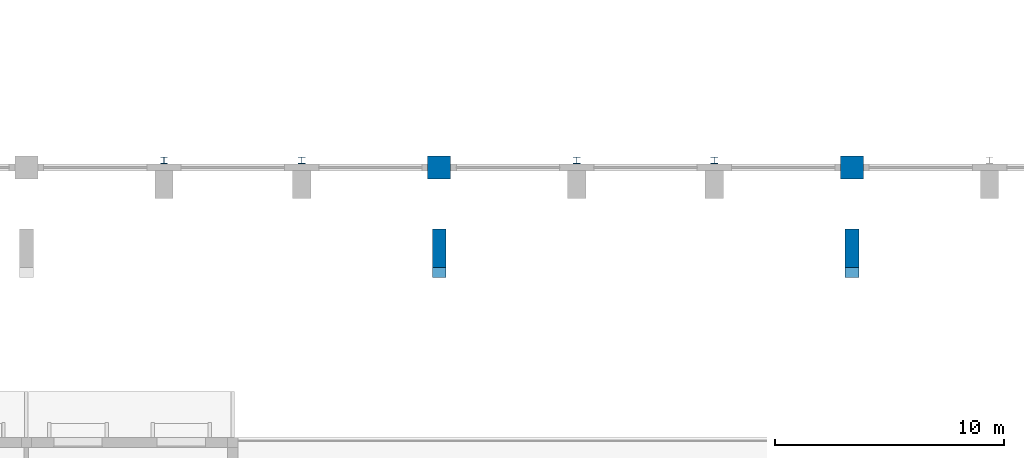
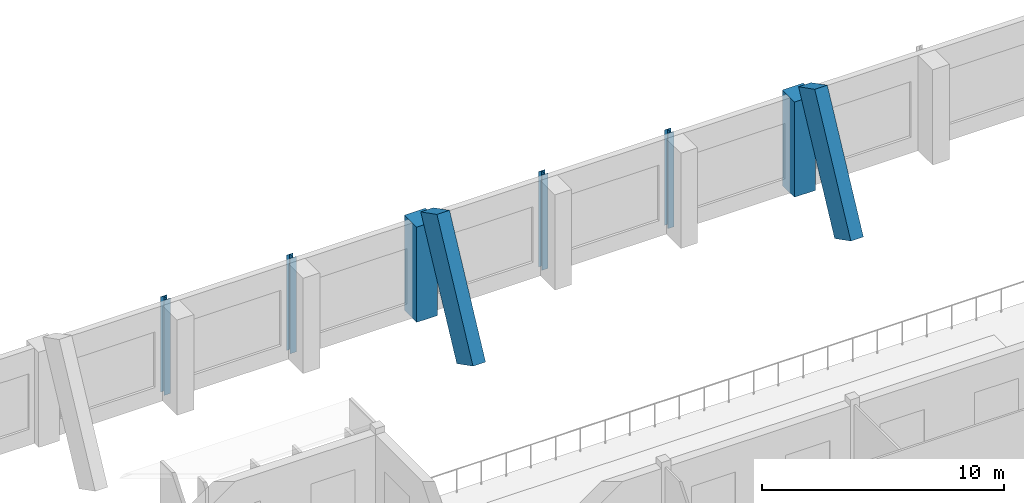
# One storey, part 10 of 182: 8 columns.
"""IFC4 building model written with IfcOpenShell, lengths in metres."""

import ifcopenshell
import ifcopenshell.guid

model = None  # the IFC model being written
_history = None  # IfcOwnerHistory: only IFC2X3 demands one
_inside = {}  # id of a spatial element -> (the spatial element, [elements in it])
_under = {}  # id of a project, library or spatial element -> (it, [spatial elements below it])
_declared = {}  # id of a project -> (the project, [libraries it declares])
_typed = {}  # id of a type object -> (the type object, [elements of that type])
_made_of = {}  # id of a material, layer set ... -> (it, [elements and type objects made of it])


def new_model(schema):
    """Start an empty IFC model of exactly this schema.

    Asked for "IFC4X3", IfcOpenShell would pick the latest addendum, in which some entities
    have other attributes; the version numbers below select the first issue.
    IFC2X3 requires an IfcOwnerHistory on every rooted entity: one is made here for all.
    """
    global model, _history
    if schema == "IFC4X3":
        model = ifcopenshell.file(schema_version=(4, 3, 0, 0))
    else:
        model = ifcopenshell.file(schema=schema)
    _inside.clear()
    _under.clear()
    _declared.clear()
    _typed.clear()
    _made_of.clear()
    _history = None
    if model.schema == "IFC2X3":
        org = make("IfcOrganization", Name="unknown")
        user = make(
            "IfcPersonAndOrganization",
            ThePerson=make("IfcPerson", FamilyName="unknown"),
            TheOrganization=org,
        )
        app = make(
            "IfcApplication",
            ApplicationDeveloper=org,
            Version="unknown",
            ApplicationFullName="unknown",
            ApplicationIdentifier="unknown",
        )
        _history = make(
            "IfcOwnerHistory",
            OwningUser=user,
            OwningApplication=app,
            ChangeAction="ADDED",
            CreationDate=0,
        )
    return model


def make(cls, **values):
    """One entity of the class cls with the attributes given. An attribute that is None is left unset."""
    return model.create_entity(
        cls, **{name: value for name, value in values.items() if value is not None}
    )


def rooted(cls, **values):
    """An entity with a GlobalId (a new one), such as an element, a storey or a relation."""
    return make(cls, GlobalId=ifcopenshell.guid.new(), OwnerHistory=_history, **values)


def si_unit(unit_type, name, prefix=None):
    """IfcSIUnit, for example si_unit("LENGTHUNIT", "METRE", prefix="MILLI")."""
    return make("IfcSIUnit", UnitType=unit_type, Prefix=prefix, Name=name)


def assignment(units):
    """IfcUnitAssignment: the units of a project."""
    return None if units is None else make("IfcUnitAssignment", Units=units)


def point(xyz):
    """IfcCartesianPoint."""
    return None if xyz is None else make("IfcCartesianPoint", Coordinates=xyz)


def direction(xyz):
    """IfcDirection."""
    return None if xyz is None else make("IfcDirection", DirectionRatios=xyz)


def frame(location, z_axis=None, x_axis=None):
    """IfcAxis2Placement3D, a coordinate frame: its origin and axes. An axis left out is left unset."""
    return make(
        "IfcAxis2Placement3D",
        Location=point(location),
        Axis=direction(z_axis),
        RefDirection=direction(x_axis),
    )


def frame_2d(location, x_axis=None):
    """IfcAxis2Placement2D, a coordinate frame in the plane: its origin and x axis."""
    return make(
        "IfcAxis2Placement2D", Location=point(location), RefDirection=direction(x_axis)
    )


def origin():
    """The frame at (0, 0, 0) with its axes left unset."""
    return frame((0.0, 0.0, 0.0))


def origin_2d():
    """The frame at (0, 0) in the plane with its x axis left unset."""
    return frame_2d((0.0, 0.0))


def place(relative_to, where):
    """IfcLocalPlacement: puts the frame where relative to a parent placement (None: the world)."""
    return make(
        "IfcLocalPlacement", PlacementRelTo=relative_to, RelativePlacement=where
    )


def context(
    kind, dimensions, precision=None, world=None, true_north=None, identifier=None
):
    """IfcGeometricRepresentationContext, for example the 3D "Model" context."""
    return make(
        "IfcGeometricRepresentationContext",
        ContextIdentifier=identifier,
        ContextType=kind,
        CoordinateSpaceDimension=dimensions,
        Precision=precision,
        WorldCoordinateSystem=world,
        TrueNorth=true_north,
    )


def subcontext(parent, identifier, kind, view, scale=None):
    """IfcGeometricRepresentationSubContext, for example "Body" below "Model"."""
    return make(
        "IfcGeometricRepresentationSubContext",
        ContextIdentifier=identifier,
        ContextType=kind,
        ParentContext=parent,
        TargetScale=scale,
        TargetView=view,
    )


def project(units=None, contexts=None):
    """IfcProject with its units and contexts."""
    return rooted(
        "IfcProject",
        Name="project",
        RepresentationContexts=contexts,
        UnitsInContext=assignment(units),
    )


def spatial(cls, under=None, at=None, **own):
    """A site, building, storey or space (cls), placed at a placement, below another one or the project."""
    s = rooted(cls, ObjectPlacement=at, **own)
    if under is not None:
        _under.setdefault(under.id(), (under, []))[1].append(s)
    return s


def profile(cls, at=None, kind="AREA", **sizes):
    """A parametric profile (cls). Its sizes go by their IFC names, for example OverallWidth=200.0."""
    return make(cls, ProfileType=kind, Position=at, **sizes)


def rectangle(**sizes):
    """IfcRectangleProfileDef."""
    return profile("IfcRectangleProfileDef", **sizes)


def i_section(**sizes):
    """IfcIShapeProfileDef."""
    return profile("IfcIShapeProfileDef", **sizes)


def extrude(swept, where, along, depth):
    """IfcExtrudedAreaSolid: the profile swept, set in the frame where, extruded along a direction by depth."""
    return make(
        "IfcExtrudedAreaSolid",
        SweptArea=swept,
        Position=where,
        ExtrudedDirection=direction(along),
        Depth=depth,
    )


def shape(context_of_items, identifier, shape_type, items):
    """IfcShapeRepresentation: the items that make up one representation, for example the "Body"."""
    return make(
        "IfcShapeRepresentation",
        ContextOfItems=context_of_items,
        RepresentationIdentifier=identifier,
        RepresentationType=shape_type,
        Items=items,
    )


def material(Name=None, Category=None):
    """IfcMaterial."""
    return make("IfcMaterial", Name=Name, Category=Category)


def material_profile(
    of_material, cross_section, Name=None, Category=None, Priority=None
):
    """IfcMaterialProfile: a cross section and its material."""
    return make(
        "IfcMaterialProfile",
        Name=Name,
        Material=of_material,
        Profile=cross_section,
        Priority=Priority,
        Category=Category,
    )


def profile_set(profiles, Name=None, composite=None):
    """IfcMaterialProfileSet."""
    return make(
        "IfcMaterialProfileSet",
        Name=Name,
        MaterialProfiles=profiles,
        CompositeProfile=composite,
    )


def made_of(thing, what):
    """Note that an element or type object is made of a material, layer set ...; save() writes the relation."""
    if what is not None:
        _made_of.setdefault(what.id(), (what, []))[1].append(thing)
    return thing


def type_object(cls, material=None, **own):
    """A type object (cls), such as IfcWallType, which elements share."""
    return made_of(rooted(cls, **own), material)


def element(
    cls,
    number,
    at=None,
    inside=None,
    cuts=None,
    type_object=None,
    material=None,
    context=None,
    identifier="Body",
    shape_type=None,
    held_by="IfcProductDefinitionShape",
    body=None,
    shapes=None,
    **own,
):
    """One element of the class cls, such as IfcWall. Its Tag is "e" and its number.

    at: its placement. inside: the storey or other place that contains it. cuts: it is an
    opening in that element (IfcRelVoidsElement). A single representation is given by context,
    identifier, shape_type and body (its items); several are given by shapes. held_by: the class
    of the entity that holds the representations. save() writes the other relations.
    """
    e = rooted(cls, Tag="e%d" % number, ObjectPlacement=at, **own)
    if body is not None:
        shapes = [shape(context, identifier, shape_type, body)]
    if shapes is not None:
        e.Representation = make(held_by, Representations=shapes)
    if inside is not None:
        _inside.setdefault(inside.id(), (inside, []))[1].append(e)
    if cuts is not None:
        rooted(
            "IfcRelVoidsElement", RelatingBuildingElement=cuts, RelatedOpeningElement=e
        )
    if type_object is not None:
        _typed.setdefault(type_object.id(), (type_object, []))[1].append(e)
    return made_of(e, material)


def aggregate(whole, parts):
    """IfcRelAggregates: a whole, such as a stair, and the parts it consists of."""
    return rooted("IfcRelAggregates", RelatingObject=whole, RelatedObjects=parts)


def save(model, path):
    """Write the relations noted so far, then the file.

    IfcRelAggregates (storeys below a building ...), IfcRelContainedInSpatialStructure (elements
    in a storey), IfcRelDefinesByType, IfcRelAssociatesMaterial and IfcRelDeclares: one each for
    every whole, place, type object, material and project.
    """
    for whole, parts in _under.values():
        aggregate(whole, parts)
    for where, things in _inside.values():
        rooted(
            "IfcRelContainedInSpatialStructure",
            RelatedElements=things,
            RelatingStructure=where,
        )
    for kind, things in _typed.values():
        rooted("IfcRelDefinesByType", RelatedObjects=things, RelatingType=kind)
    for what, things in _made_of.values():
        rooted("IfcRelAssociatesMaterial", RelatedObjects=things, RelatingMaterial=what)
    for by, libraries in _declared.values():
        rooted("IfcRelDeclares", RelatingContext=by, RelatedDefinitions=libraries)
    model.write(path)


model = new_model("IFC4")

# Units and contexts
model_context = context("Model", 3, precision=1e-05, world=origin(), true_north=direction((0.0, 1.0)))
body_context = subcontext(model_context, "Body", "Model", "MODEL_VIEW")
ifc_project = project(units=[si_unit("LENGTHUNIT", "METRE"), si_unit("AREAUNIT", "SQUARE_METRE"), si_unit("VOLUMEUNIT", "CUBIC_METRE"), si_unit("PLANEANGLEUNIT", "RADIAN"), si_unit("MASSUNIT", "GRAM", prefix="KILO")], contexts=[model_context])

# Site, building, storey
site_placement = place(None, origin())
site = spatial("IfcSite", under=ifc_project, at=site_placement, CompositionType="ELEMENT")
building_placement = place(site_placement, origin())
building = spatial("IfcBuilding", under=site, at=building_placement, Name="Okhra Congress Centre", CompositionType="ELEMENT")
storey_placement = place(building_placement, frame((0.0, 0.0, 7.199951171875)))
storey = spatial("IfcBuildingStorey", under=building, at=storey_placement, Name="L01", CompositionType="ELEMENT", Elevation=7.199951171875)

# Columns
ifc_material_1 = material(Name="Steel S355J2", Category="steel")
ifc_material_profile_1 = material_profile(ifc_material_1, i_section(OverallWidth=0.300048828125, OverallDepth=0.2900390625, WebThickness=0.008544921875, FlangeThickness=0.013916015625, at=origin_2d()), Name="HE 300 A")
ifc_profile_set_1 = profile_set([ifc_material_profile_1], Name="Steel S355J2")
column_type_1 = type_object("IfcColumnType", Name="HE 300 A", PredefinedType="COLUMN", material=ifc_profile_set_1)
for number, where, z_axis, x_axis, name in (
    (1, (70.0, 132.300048828125, 0.0), (0.0, 0.0, 1.0), (1.0, 0.0, 0.0), "EH.COL.L01.WP5"),
    (2, (76.0, 132.300048828125, 0.0), (0.0, 0.0, 1.0), (1.0, 0.0, 0.0), "EH.COL.L01.WP6"),
    (3, (88.0, 132.300048828125, 0.0), (0.0, 0.0, 1.0), (1.0, 0.0, 0.0), "EH.COL.L01.WP7"),
    (4, (94.0, 132.300048828125, 0.0), (0.0, 0.0, 1.0), (1.0, 0.0, 0.0), "EH.COL.L01.WP8"),
):
    element("IfcColumn", number, at=place(storey_placement, frame(where, z_axis=z_axis, x_axis=x_axis)), inside=storey, type_object=column_type_1, Name=name, PredefinedType="COLUMN", context=body_context, shape_type="SweptSolid", body=[
        extrude(i_section(OverallWidth=0.300048828125, OverallDepth=0.2900390625, WebThickness=0.008544921875, FlangeThickness=0.013916015625, at=origin_2d()), origin(), (0.0, 0.0, 1.0), 4.800048828125),
    ])
ifc_material_2 = material(Name="Concrete C40/50", Category="concrete")
ifc_material_profile_2 = material_profile(ifc_material_2, rectangle(XDim=1.0, YDim=1.0, at=origin_2d()), Name="RC 1000x1000")
ifc_profile_set_2 = profile_set([ifc_material_profile_2], Name="Concrete C40/50")
column_type_2 = type_object("IfcColumnType", Name="RC column 1000x1000 C40/50", PredefinedType="COLUMN", material=ifc_profile_set_2)
for number, where, z_axis, x_axis, name in (
    (5, (82.0, 132.0, 0.0), (0.0, 0.0, 1.0), (1.0, 0.0, 0.0), "EH.COL.L01.SC7"),
    (6, (100.0, 132.0, 0.0), (0.0, 0.0, 1.0), (1.0, 0.0, 0.0), "EH.COL.L01.SC9"),
):
    element("IfcColumn", number, at=place(storey_placement, frame(where, z_axis=z_axis, x_axis=x_axis)), inside=storey, type_object=column_type_2, Name=name, PredefinedType="COLUMN", context=body_context, shape_type="SweptSolid", body=[
        extrude(rectangle(XDim=1.0, YDim=1.0, at=origin_2d()), origin(), (0.0, 0.0, 1.0), 4.800048828125),
    ])
ifc_material_3 = material(Name="Concrete C35/45", Category="concrete")
ifc_material_profile_3 = material_profile(ifc_material_3, rectangle(XDim=0.60009765625, YDim=1.5, at=origin_2d()), Name="RC 600x1500")
ifc_profile_set_3 = profile_set([ifc_material_profile_3], Name="Concrete C35/45")
column_type_3 = type_object("IfcColumnType", Name="Raking buttress pier RC 600x1500 C35/45", PredefinedType="COLUMN", material=ifc_profile_set_3)
for number, where, z_axis, x_axis, name in (
    (7, (82.0, 127.85595703125, 0.0), (0.0, 0.453979342661, 0.891012208916), (-1.0, 0.0, 0.0), "Buttress pier 4"),
    (8, (100.0, 127.85595703125, 0.0), (0.0, 0.453979342661, 0.891012208916), (-1.0, 0.0, 0.0), "Buttress pier 5"),
):
    element("IfcColumn", number, at=place(storey_placement, frame(where, z_axis=z_axis, x_axis=x_axis)), inside=storey, type_object=column_type_3, Name=name, PredefinedType="COLUMN", context=body_context, shape_type="SweptSolid", body=[
        extrude(rectangle(XDim=0.60009765625, YDim=1.5, at=origin_2d()), origin(), (0.0, 0.0, 1.0), 6.554931640625),
    ])

save(model, "model.ifc")
